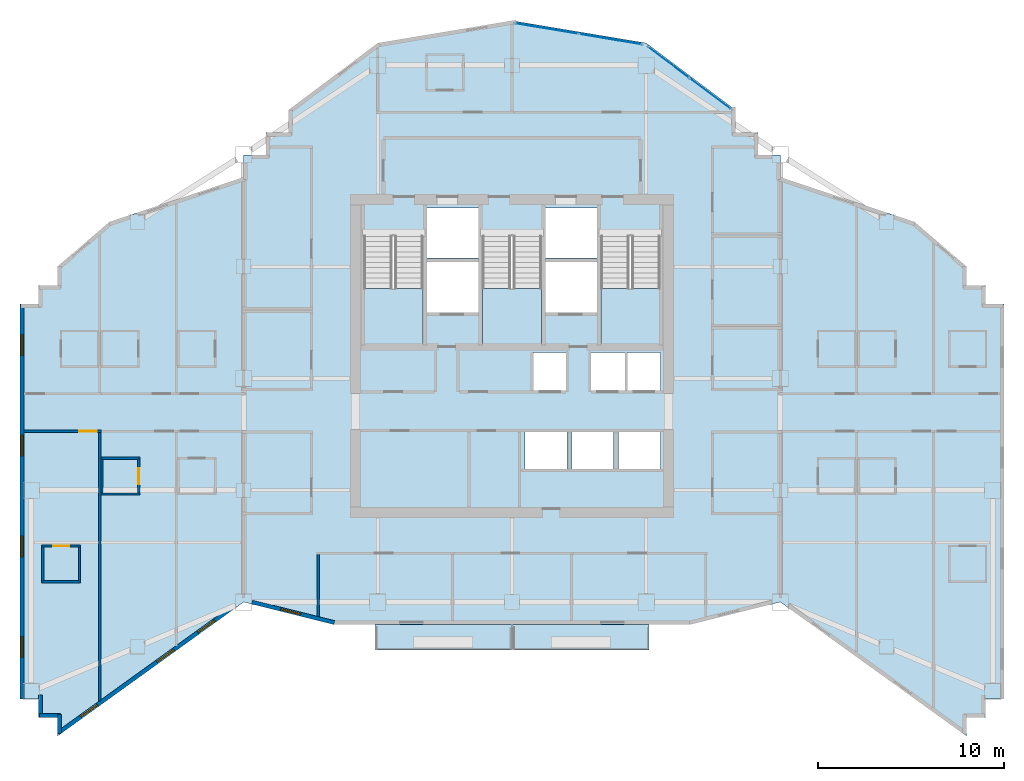
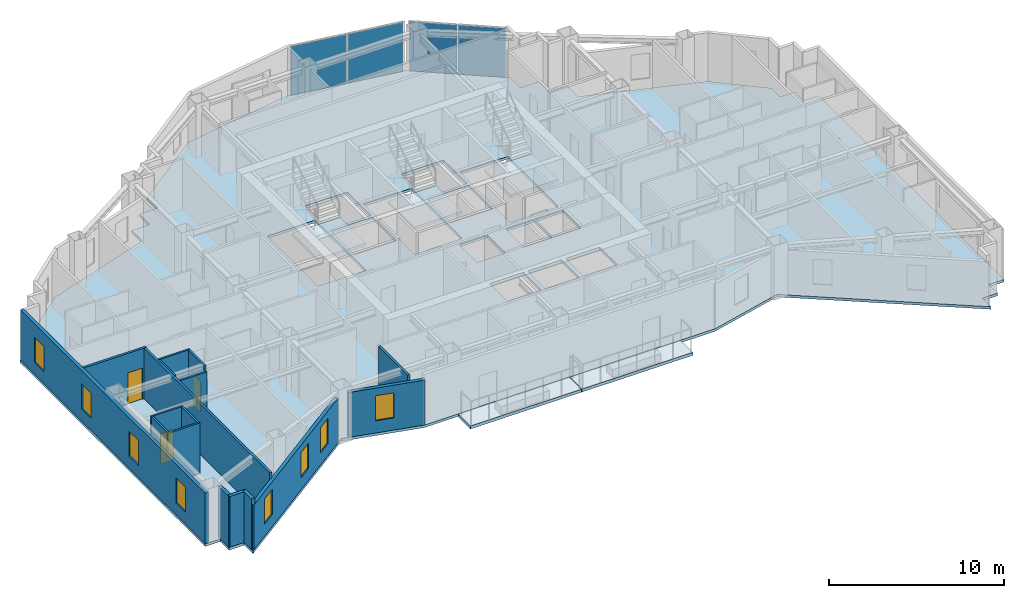
# One storey, part 4 of 11: 17 walls, 8 windows, 6 slabs, 4 plates, 3 doors, 11 openings, 5 elements without a shape of their own.
"""IFC4 building model written with IfcOpenShell, lengths in metres."""

from ifc_helpers import new_model, si_unit, direction, frame, frame_2d, origin, origin_2d, place, context, subcontext, project, spatial, polyline, rectangle, outline, extrude, material, layer, layer_set, type_object, element, fill, aggregate, save


model = new_model("IFC4")

# Units and contexts
model_context = context("Model", 3, precision=1e-05, world=origin(), true_north=direction((0.0, 1.0)))
body_context = subcontext(model_context, "Body", "Model", "MODEL_VIEW")
ifc_project = project(units=[si_unit("LENGTHUNIT", "METRE"), si_unit("AREAUNIT", "SQUARE_METRE"), si_unit("VOLUMEUNIT", "CUBIC_METRE"), si_unit("PLANEANGLEUNIT", "RADIAN"), si_unit("MASSUNIT", "GRAM", prefix="KILO")], contexts=[model_context])

# Site, building, storey
site_placement = place(None, origin())
site = spatial("IfcSite", under=ifc_project, at=site_placement, CompositionType="ELEMENT")
building_placement = place(site_placement, origin())
building = spatial("IfcBuilding", under=site, at=building_placement, Name="Haolan Belvedere Tower", CompositionType="ELEMENT")
storey_placement = place(building_placement, frame((0.0, 0.0, 226.800048828125)))
storey = spatial("IfcBuildingStorey", under=building, at=storey_placement, Name="L57", CompositionType="ELEMENT", Elevation=226.800048828125)

# Curtain wall, plates
ifc_material_1 = material(Name="Anodised champagne-silver aluminium 6063-T6 and Low-E glass", Category="aluminium")
ifc_layer_1 = layer(ifc_material_1, 0.14990234375, Name="Anodised champagne-silver aluminium 6063-T6 and Low-E glass")
ifc_layer_set_1 = layer_set([ifc_layer_1], Name="Anodised champagne-silver aluminium 6063-T6 and Low-E glass")
curtain_wall_type = type_object("IfcCurtainWallType", Name="CW-SYS-04", PredefinedType="NOTDEFINED", material=ifc_layer_set_1)
curtain_wall_1_placement = place(storey_placement, origin())
curtain_wall_1 = element("IfcCurtainWall", 1, at=curtain_wall_1_placement, inside=storey, type_object=curtain_wall_type, Name="L57 CW-SYS-04 ribbon curtain wall 20.1", PredefinedType="NOTDEFINED")
ifc_material_2 = material(Name="Double silver Low-E laminated insulating glass", Category="glass")
ifc_layer_2 = layer(ifc_material_2, 0.02392578125, Name="Double silver Low-E laminated insulating glass")
ifc_layer_set_2 = layer_set([ifc_layer_2], Name="Double silver Low-E laminated insulating glass")
plate_type = type_object("IfcPlateType", Name="CW-SYS-04-PNL", PredefinedType="CURTAIN_PANEL", material=ifc_layer_set_2)
plate_1_placement = place(storey_placement, frame((49.0390625, 48.883056640625, 0.052001953125), z_axis=(0.0, 0.0, 1.0), x_axis=(-0.799997871638, 0.600002837806, 0.0)))
plate_1 = element("IfcPlate", 2, at=plate_1_placement, type_object=plate_type, Name="CW-04 panel 1.1", PredefinedType="CURTAIN_PANEL", context=body_context, shape_type="SweptSolid", body=[
    extrude(rectangle(XDim=2.735107421875, YDim=0.02392578125, at=origin_2d()), origin(), (0.0, 0.0, 1.0), 3.43603515625),
])
plate_2_placement = place(storey_placement, frame((46.806396484375, 50.557861328125, 0.052001953125), z_axis=(0.0, 0.0, 1.0), x_axis=(-0.799997871638, 0.600002837806, 0.0)))
plate_2 = element("IfcPlate", 3, at=plate_2_placement, type_object=plate_type, Name="CW-04 panel 2.1", PredefinedType="CURTAIN_PANEL", context=body_context, shape_type="SweptSolid", body=[
    extrude(rectangle(XDim=2.735107421875, YDim=0.02392578125, at=origin_2d()), origin(), (0.0, 0.0, 1.0), 3.43603515625),
])
aggregate(curtain_wall_1, [plate_1, plate_2])

curtain_wall_2_placement = place(storey_placement, origin())
curtain_wall_2 = element("IfcCurtainWall", 4, at=curtain_wall_2_placement, inside=storey, type_object=curtain_wall_type, Name="L57 CW-SYS-04 ribbon curtain wall 21.1", PredefinedType="NOTDEFINED")
plate_3_placement = place(storey_placement, frame((43.683837890625, 51.807861328125, 0.052001953125), z_axis=(0.0, 0.0, 1.0), x_axis=(-0.98639276122, 0.164405962825, 0.0)))
plate_3 = element("IfcPlate", 5, at=plate_3_placement, type_object=plate_type, Name="CW-04 panel 1.1", PredefinedType="CURTAIN_PANEL", context=body_context, shape_type="SweptSolid", body=[
    extrude(rectangle(XDim=3.403076171875, YDim=0.02392578125, at=origin_2d()), origin(), (0.0, 0.0, 1.0), 3.43603515625),
])
plate_4_placement = place(storey_placement, frame((40.271728515625, 52.37646484375, 0.052001953125), z_axis=(0.0, 0.0, 1.0), x_axis=(-0.98639276122, 0.164405962825, 0.0)))
plate_4 = element("IfcPlate", 6, at=plate_4_placement, type_object=plate_type, Name="CW-04 panel 2.1", PredefinedType="CURTAIN_PANEL", context=body_context, shape_type="SweptSolid", body=[
    extrude(rectangle(XDim=3.403076171875, YDim=0.02392578125, at=origin_2d()), origin(), (0.0, 0.0, 1.0), 3.43603515625),
])
aggregate(curtain_wall_2, [plate_3, plate_4])

# Slabs
ifc_material_3 = material(Name="Concrete C40/50", Category="concrete")
ifc_layer_3 = layer(ifc_material_3, 0.2099609375, Name="Concrete C40/50")
ifc_layer_set_3 = layer_set([ifc_layer_3], Name="Concrete C40/50")
slab_type_1 = type_object("IfcSlabType", Name="SL-BAL-210", PredefinedType="FLOOR", material=ifc_layer_set_3)
slab_1_placement = place(storey_placement, frame((0.0, 0.0, -0.22998046875)))
element("IfcSlab", 7, at=slab_1_placement, inside=storey, type_object=slab_type_1, Name="L57 structural tree-planter balcony slab BAL-L57-S1", PredefinedType="FLOOR", context=body_context, shape_type="SweptSolid", body=[
    extrude(outline(polyline([(31.050048828125, 19.02001953125), (38.3798828125, 19.02001953125), (38.3798828125, 20.39990234375), (31.050048828125, 20.39990234375), (31.050048828125, 19.02001953125)])), origin(), (0.0, 0.0, 1.0), 0.2099609375),
])
slab_2_placement = place(storey_placement, frame((0.0, 0.0, -0.22998046875)))
element("IfcSlab", 8, at=slab_2_placement, inside=storey, type_object=slab_type_1, Name="L57 structural tree-planter balcony slab BAL-L57-S2", PredefinedType="FLOOR", context=body_context, shape_type="SweptSolid", body=[
    extrude(outline(polyline([(38.419921875, 19.02001953125), (45.75, 19.02001953125), (45.75, 20.39990234375), (38.419921875, 20.39990234375), (38.419921875, 19.02001953125)])), origin(), (0.0, 0.0, 1.0), 0.2099609375),
])
ifc_layer_4 = layer(ifc_material_3, 0.179931640625, Name="Concrete C40/50")
ifc_layer_set_4 = layer_set([ifc_layer_4], Name="Concrete C40/50")
slab_type_2 = type_object("IfcSlabType", Name="SL-FLR-180", PredefinedType="FLOOR", material=ifc_layer_set_4)
slab_3_placement = place(storey_placement, frame((0.0, 0.0, -0.179931640625)))
element("IfcSlab", 9, at=slab_3_placement, inside=storey, type_object=slab_type_2, Name="L57 structural floor slab", PredefinedType="FLOOR", context=body_context, shape_type="SweptSolid", body=[
    extrude(outline(polyline([(24.0, 21.60009765625), (28.800048828125, 20.39990234375), (48.0, 20.39990234375), (52.800048828125, 21.60009765625), (62.800048828125, 14.39990234375), (62.800048828125, 15.39990234375), (63.800048828125, 15.39990234375), (63.800048828125, 16.39990234375), (64.800048828125, 16.39990234375), (64.800048828125, 37.60009765625), (63.800048828125, 37.60009765625), (63.800048828125, 38.60009765625), (62.800048828125, 38.60009765625), (62.800048828125, 39.60009765625), (60.0, 42.0), (52.800048828125, 44.39990234375), (52.800048828125, 45.60009765625), (51.60009765625, 45.60009765625), (51.60009765625, 46.800048828125), (50.39990234375, 46.800048828125), (50.39990234375, 48.0), (45.60009765625, 51.60009765625), (38.39990234375, 52.800048828125), (31.199951171875, 51.60009765625), (26.39990234375, 48.0), (26.39990234375, 46.800048828125), (25.199951171875, 46.800048828125), (25.199951171875, 45.60009765625), (24.0, 45.60009765625), (24.0, 44.39990234375), (16.800048828125, 42.0), (14.0, 39.60009765625), (14.0, 38.60009765625), (13.0, 38.60009765625), (13.0, 37.60009765625), (12.0, 37.60009765625), (12.0, 16.800048828125), (12.0, 16.39990234375), (13.0, 16.39990234375), (13.0, 15.39990234375), (14.0, 15.39990234375), (14.0, 14.39990234375), (24.0, 21.60009765625)]), holes=[polyline([(30.449951171875, 41.22998046875), (30.449951171875, 35.449951171875), (33.6298828125, 35.449951171875), (33.6298828125, 41.22998046875), (30.449951171875, 41.22998046875)]), polyline([(36.81005859375, 41.22998046875), (36.81005859375, 35.449951171875), (39.989990234375, 35.449951171875), (39.989990234375, 41.22998046875), (36.81005859375, 41.22998046875)]), polyline([(43.169921875, 41.22998046875), (43.169921875, 35.449951171875), (46.35009765625, 35.449951171875), (46.35009765625, 41.22998046875), (43.169921875, 41.22998046875)]), polyline([(33.830078125, 40.050048828125), (36.610107421875, 40.050048828125), (36.610107421875, 42.75), (33.830078125, 42.75), (33.830078125, 40.050048828125)]), polyline([(33.830078125, 37.14990234375), (36.610107421875, 37.14990234375), (36.610107421875, 39.85009765625), (33.830078125, 39.85009765625), (33.830078125, 37.14990234375)]), polyline([(40.18994140625, 40.050048828125), (42.969970703125, 40.050048828125), (42.969970703125, 42.75), (40.18994140625, 42.75), (40.18994140625, 40.050048828125)]), polyline([(40.18994140625, 37.14990234375), (42.969970703125, 37.14990234375), (42.969970703125, 39.85009765625), (40.18994140625, 39.85009765625), (40.18994140625, 37.14990234375)]), polyline([(39.5400390625, 32.949951171875), (41.389892578125, 32.949951171875), (41.389892578125, 35.0), (39.5400390625, 35.0), (39.5400390625, 32.949951171875)]), polyline([(42.6201171875, 32.949951171875), (44.469970703125, 32.949951171875), (44.469970703125, 35.0), (42.6201171875, 35.0), (42.6201171875, 32.949951171875)]), polyline([(44.580078125, 32.949951171875), (46.3798828125, 32.949951171875), (46.3798828125, 35.0), (44.580078125, 35.0), (44.580078125, 32.949951171875)]), polyline([(39.10009765625, 28.75), (41.340087890625, 28.75), (41.340087890625, 30.75), (39.10009765625, 30.75), (39.10009765625, 28.75)]), polyline([(41.610107421875, 28.75), (43.85009765625, 28.75), (43.85009765625, 30.75), (41.610107421875, 30.75), (41.610107421875, 28.75)]), polyline([(44.1201171875, 28.75), (46.360107421875, 28.75), (46.360107421875, 30.75), (44.1201171875, 30.75), (44.1201171875, 28.75)])]), origin(), (0.0, 0.0, 1.0), 0.179931640625),
])

# Stair, slab
stair_type = type_object("IfcStairType", Name="STR-DL-22R-173", PredefinedType="HALF_TURN_STAIR", material=ifc_material_3)
stair_1_placement = place(storey_placement, origin())
stair_1 = element("IfcStair", 10, at=stair_1_placement, inside=storey, type_object=stair_type, Name="L57 Smokeproof Core Exit Stair ST1", PredefinedType="HALF_TURN_STAIR")
ifc_layer_5 = layer(ifc_material_3, 0.199951171875, Name="Concrete C40/50")
ifc_layer_set_5 = layer_set([ifc_layer_5], Name="Concrete C40/50")
slab_type_3 = type_object("IfcSlabType", Name="SL-LAND-200", PredefinedType="LANDING", material=ifc_layer_set_5)
slab_4_placement = place(storey_placement, frame((0.0, 0.0, 1.699951171875)))
slab_4 = element("IfcSlab", 11, at=slab_4_placement, type_object=slab_type_3, Name="ST1 landing 1", PredefinedType="LANDING", context=body_context, shape_type="SweptSolid", body=[
    extrude(outline(polyline([(30.449951171875, 38.429931640625), (30.449951171875, 35.449951171875), (33.6298828125, 35.449951171875), (33.6298828125, 38.429931640625), (30.449951171875, 38.429931640625)])), origin(), (0.0, 0.0, 1.0), 0.199951171875),
])
aggregate(stair_1, [slab_4])

stair_2_placement = place(storey_placement, origin())
stair_2 = element("IfcStair", 12, at=stair_2_placement, inside=storey, type_object=stair_type, Name="L57 Smokeproof Core Exit Stair ST3", PredefinedType="HALF_TURN_STAIR")
slab_5_placement = place(storey_placement, frame((0.0, 0.0, 1.699951171875)))
slab_5 = element("IfcSlab", 13, at=slab_5_placement, type_object=slab_type_3, Name="ST3 landing 1", PredefinedType="LANDING", context=body_context, shape_type="SweptSolid", body=[
    extrude(outline(polyline([(36.81005859375, 38.429931640625), (36.81005859375, 35.449951171875), (39.989990234375, 35.449951171875), (39.989990234375, 38.429931640625), (36.81005859375, 38.429931640625)])), origin(), (0.0, 0.0, 1.0), 0.199951171875),
])
aggregate(stair_2, [slab_5])

stair_3_placement = place(storey_placement, origin())
stair_3 = element("IfcStair", 14, at=stair_3_placement, inside=storey, type_object=stair_type, Name="L57 Smokeproof Core Exit Stair ST2", PredefinedType="HALF_TURN_STAIR")
slab_6_placement = place(storey_placement, frame((0.0, 0.0, 1.699951171875)))
slab_6 = element("IfcSlab", 15, at=slab_6_placement, type_object=slab_type_3, Name="ST2 landing 1", PredefinedType="LANDING", context=body_context, shape_type="SweptSolid", body=[
    extrude(outline(polyline([(43.169921875, 38.429931640625), (43.169921875, 35.449951171875), (46.35009765625, 35.449951171875), (46.35009765625, 38.429931640625), (43.169921875, 38.429931640625)])), origin(), (0.0, 0.0, 1.0), 0.199951171875),
])
aggregate(stair_3, [slab_6])

# Wall, openings, windows
ifc_material_4 = material(Name="Precast concrete C40/50", Category="concrete")
ifc_layer_6 = layer(ifc_material_4, 0.219970703125, Name="Precast concrete C40/50")
ifc_layer_set_6 = layer_set([ifc_layer_6], Name="Precast concrete C40/50")
wall_type_1 = type_object("IfcWallType", Name="WL-EXT-220", PredefinedType="SOLIDWALL", material=ifc_layer_set_6)
wall_1_placement = place(storey_placement, frame((12.110107421875, 37.544921875, 0.0), z_axis=(0.0, 0.0, 1.0), x_axis=(0.0, -1.0, 0.0)))
wall_1 = element("IfcWall", 16, at=wall_1_placement, inside=storey, type_object=wall_type_1, Name="L57 pale-metal exterior spandrel wall 35.1", PredefinedType="SOLIDWALL", context=body_context, shape_type="SweptSolid", body=[
    extrude(rectangle(XDim=21.14501953125, YDim=0.219970703125, at=frame_2d((10.572509765625, 0.0))), origin(), (0.0, 0.0, 1.0), 3.5400390625),
])
opening_1_placement = place(wall_1_placement, frame((1.60009765625, 0.0, 0.85009765625)))
opening_1 = element("IfcOpeningElement", 17, at=opening_1_placement, cuts=wall_1, Name="Opening W-03", PredefinedType="OPENING", context=body_context, shape_type="SweptSolid", body=[
    extrude(rectangle(XDim=1.10009765625, YDim=1.75, at=frame_2d((0.550048828125, 0.875))), frame((0.0, 0.119873046875, 0.0), z_axis=(0.0, -1.0, 0.0), x_axis=(1.0, 0.0, 0.0)), (0.0, 0.0, 1.0), 0.239990234375),
])
opening_2_placement = place(wall_1_placement, frame((7.0, 0.0, 0.85009765625)))
opening_2 = element("IfcOpeningElement", 18, at=opening_2_placement, cuts=wall_1, Name="Opening W-03", PredefinedType="OPENING", context=body_context, shape_type="SweptSolid", body=[
    extrude(rectangle(XDim=1.10009765625, YDim=1.75, at=frame_2d((0.550048828125, 0.875))), frame((0.0, 0.119873046875, 0.0), z_axis=(0.0, -1.0, 0.0), x_axis=(1.0, 0.0, 0.0)), (0.0, 0.0, 1.0), 0.239990234375),
])
opening_3_placement = place(wall_1_placement, frame((12.39990234375, 0.0, 0.85009765625)))
opening_3 = element("IfcOpeningElement", 19, at=opening_3_placement, cuts=wall_1, Name="Opening W-03", PredefinedType="OPENING", context=body_context, shape_type="SweptSolid", body=[
    extrude(rectangle(XDim=1.10009765625, YDim=1.75, at=frame_2d((0.550048828125, 0.875))), frame((0.0, 0.119873046875, 0.0), z_axis=(0.0, -1.0, 0.0), x_axis=(1.0, 0.0, 0.0)), (0.0, 0.0, 1.0), 0.239990234375),
])
opening_4_placement = place(wall_1_placement, frame((17.800048828125, 0.0, 0.85009765625)))
opening_4 = element("IfcOpeningElement", 20, at=opening_4_placement, cuts=wall_1, Name="Opening W-03", PredefinedType="OPENING", context=body_context, shape_type="SweptSolid", body=[
    extrude(rectangle(XDim=1.10009765625, YDim=1.75, at=frame_2d((0.550048828125, 0.875))), frame((0.0, 0.119873046875, 0.0), z_axis=(0.0, -1.0, 0.0), x_axis=(1.0, 0.0, 0.0)), (0.0, 0.0, 1.0), 0.239990234375),
])
ifc_material_5 = material(Name="Anodised aluminium 6063-T6 and Low-E glass", Category="aluminium")
window_type = type_object("IfcWindowType", Name="WN-DECO-Z3", PartitioningType="SINGLE_PANEL", PredefinedType="WINDOW", material=ifc_material_5)
window_1_placement = place(opening_1_placement, origin())
window_1 = element("IfcWindow", 21, at=window_1_placement, inside=storey, type_object=window_type, Name="L57 Art Deco chevron window 1", OverallHeight=1.75, OverallWidth=1.10009765625, PartitioningType="SINGLE_PANEL", PredefinedType="WINDOW", context=body_context, shape_type="SweptSolid", body=[
    extrude(rectangle(XDim=1.10009765625, YDim=1.75, at=frame_2d((0.550048828125, 0.875))), frame((0.0, 0.030029296875, 0.0), z_axis=(0.0, -1.0, 0.0), x_axis=(1.0, 0.0, 0.0)), (0.0, 0.0, 1.0), 0.06005859375),
])
fill(opening_1, window_1)
window_2_placement = place(opening_2_placement, origin())
window_2 = element("IfcWindow", 22, at=window_2_placement, inside=storey, type_object=window_type, Name="L57 Art Deco chevron window 2", OverallHeight=1.75, OverallWidth=1.10009765625, PartitioningType="SINGLE_PANEL", PredefinedType="WINDOW", context=body_context, shape_type="SweptSolid", body=[
    extrude(rectangle(XDim=1.10009765625, YDim=1.75, at=frame_2d((0.550048828125, 0.875))), frame((0.0, 0.030029296875, 0.0), z_axis=(0.0, -1.0, 0.0), x_axis=(1.0, 0.0, 0.0)), (0.0, 0.0, 1.0), 0.06005859375),
])
fill(opening_2, window_2)
window_3_placement = place(opening_3_placement, origin())
window_3 = element("IfcWindow", 23, at=window_3_placement, inside=storey, type_object=window_type, Name="L57 Art Deco chevron window 3", OverallHeight=1.75, OverallWidth=1.10009765625, PartitioningType="SINGLE_PANEL", PredefinedType="WINDOW", context=body_context, shape_type="SweptSolid", body=[
    extrude(rectangle(XDim=1.10009765625, YDim=1.75, at=frame_2d((0.550048828125, 0.875))), frame((0.0, 0.030029296875, 0.0), z_axis=(0.0, -1.0, 0.0), x_axis=(1.0, 0.0, 0.0)), (0.0, 0.0, 1.0), 0.06005859375),
])
fill(opening_3, window_3)
window_4_placement = place(opening_4_placement, origin())
window_4 = element("IfcWindow", 24, at=window_4_placement, inside=storey, type_object=window_type, Name="L57 Art Deco chevron window 4", OverallHeight=1.75, OverallWidth=1.10009765625, PartitioningType="SINGLE_PANEL", PredefinedType="WINDOW", context=body_context, shape_type="SweptSolid", body=[
    extrude(rectangle(XDim=1.10009765625, YDim=1.75, at=frame_2d((0.550048828125, 0.875))), frame((0.0, 0.030029296875, 0.0), z_axis=(0.0, -1.0, 0.0), x_axis=(1.0, 0.0, 0.0)), (0.0, 0.0, 1.0), 0.06005859375),
])
fill(opening_4, window_4)

# Walls
wall_2_placement = place(storey_placement, frame((13.110107421875, 16.6201171875, 0.0), z_axis=(0.0, 0.0, 1.0), x_axis=(0.0, -1.0, 0.0)))
element("IfcWall", 25, at=wall_2_placement, inside=storey, type_object=wall_type_1, Name="L57 pale-metal exterior spandrel wall 37.1", PredefinedType="SOLIDWALL", context=body_context, shape_type="SweptSolid", body=[
    extrude(rectangle(XDim=1.1650390625, YDim=0.219970703125, at=frame_2d((0.58251953125, 0.0))), origin(), (0.0, 0.0, 1.0), 3.5400390625),
])
wall_3_placement = place(storey_placement, frame((13.054931640625, 15.510009765625, 0.0), z_axis=(0.0, 0.0, 1.0), x_axis=(1.0, 0.0, 0.0)))
element("IfcWall", 26, at=wall_3_placement, inside=storey, type_object=wall_type_1, Name="L57 pale-metal exterior spandrel wall 38.1", PredefinedType="SOLIDWALL", context=body_context, shape_type="SweptSolid", body=[
    extrude(rectangle(XDim=1.110107421875, YDim=0.219970703125, at=frame_2d((0.55517578125, 0.0))), origin(), (0.0, 0.0, 1.0), 3.5400390625),
])
wall_4_placement = place(storey_placement, frame((14.110107421875, 15.56494140625, 0.0), z_axis=(0.0, 0.0, 1.0), x_axis=(0.0, -1.0, 0.0)))
element("IfcWall", 27, at=wall_4_placement, inside=storey, type_object=wall_type_1, Name="L57 pale-metal exterior spandrel wall 39.1", PredefinedType="SOLIDWALL", context=body_context, shape_type="SweptSolid", body=[
    extrude(rectangle(XDim=1.005126953125, YDim=0.219970703125, at=frame_2d((0.50244140625, 0.0))), origin(), (0.0, 0.0, 1.0), 3.5400390625),
])

# Wall, openings, windows
wall_5_placement = place(storey_placement, frame((14.0654296875, 14.58251953125, 0.0), z_axis=(0.0, 0.0, 1.0), x_axis=(0.811534737332, 0.58430417601, 0.0)))
wall_5 = element("IfcWall", 28, at=wall_5_placement, inside=storey, type_object=wall_type_1, Name="L57 pale-metal exterior spandrel wall 40.1", PredefinedType="SOLIDWALL", context=body_context, shape_type="SweptSolid", body=[
    extrude(rectangle(XDim=11.697265625, YDim=0.219970703125, at=frame_2d((5.8486328125, 0.0))), origin(), (0.0, 0.0, 1.0), 3.135009765625),
])
opening_5_placement = place(wall_5_placement, frame((1.46728515625, 0.0, 0.85009765625)))
opening_5 = element("IfcOpeningElement", 29, at=opening_5_placement, cuts=wall_5, Name="Opening W-03", PredefinedType="OPENING", context=body_context, shape_type="SweptSolid", body=[
    extrude(rectangle(XDim=1.10009765625, YDim=1.75, at=frame_2d((0.550048828125, 0.875))), frame((0.0, 0.119873046875, 0.0), z_axis=(0.0, -1.0, 0.0), x_axis=(1.0, 0.0, 0.0)), (0.0, 0.0, 1.0), 0.239990234375),
])
opening_6_placement = place(wall_5_placement, frame((6.51953125, 0.0, 0.85009765625)))
opening_6 = element("IfcOpeningElement", 30, at=opening_6_placement, cuts=wall_5, Name="Opening W-03", PredefinedType="OPENING", context=body_context, shape_type="SweptSolid", body=[
    extrude(rectangle(XDim=1.10009765625, YDim=1.75, at=frame_2d((0.550048828125, 0.875))), frame((0.0, 0.119873046875, 0.0), z_axis=(0.0, -1.0, 0.0), x_axis=(1.0, 0.0, 0.0)), (0.0, 0.0, 1.0), 0.239990234375),
])
opening_7_placement = place(wall_5_placement, frame((9.232666015625, 0.0, 0.85009765625)))
opening_7 = element("IfcOpeningElement", 31, at=opening_7_placement, cuts=wall_5, Name="Opening W-03", PredefinedType="OPENING", context=body_context, shape_type="SweptSolid", body=[
    extrude(rectangle(XDim=1.10009765625, YDim=1.75, at=frame_2d((0.550048828125, 0.875))), frame((0.0, 0.119873046875, 0.0), z_axis=(0.0, -1.0, 0.0), x_axis=(1.0, 0.0, 0.0)), (0.0, 0.0, 1.0), 0.239990234375),
])
window_5_placement = place(opening_5_placement, origin())
window_5 = element("IfcWindow", 32, at=window_5_placement, inside=storey, type_object=window_type, Name="L57 Art Deco chevron window 1", OverallHeight=1.75, OverallWidth=1.10009765625, PartitioningType="SINGLE_PANEL", PredefinedType="WINDOW", context=body_context, shape_type="SweptSolid", body=[
    extrude(rectangle(XDim=1.10009765625, YDim=1.75, at=frame_2d((0.550048828125, 0.875))), frame((0.0, 0.030029296875, 0.0), z_axis=(0.0, -1.0, 0.0), x_axis=(1.0, 0.0, 0.0)), (0.0, 0.0, 1.0), 0.06005859375),
])
fill(opening_5, window_5)
window_6_placement = place(opening_6_placement, origin())
window_6 = element("IfcWindow", 33, at=window_6_placement, inside=storey, type_object=window_type, Name="L57 Art Deco chevron window 2", OverallHeight=1.75, OverallWidth=1.10009765625, PartitioningType="SINGLE_PANEL", PredefinedType="WINDOW", context=body_context, shape_type="SweptSolid", body=[
    extrude(rectangle(XDim=1.10009765625, YDim=1.75, at=frame_2d((0.550048828125, 0.875))), frame((0.0, 0.030029296875, 0.0), z_axis=(0.0, -1.0, 0.0), x_axis=(1.0, 0.0, 0.0)), (0.0, 0.0, 1.0), 0.06005859375),
])
fill(opening_6, window_6)
window_7_placement = place(opening_7_placement, origin())
window_7 = element("IfcWindow", 34, at=window_7_placement, inside=storey, type_object=window_type, Name="L57 Art Deco guestroom window 2", OverallHeight=1.75, OverallWidth=1.10009765625, PartitioningType="SINGLE_PANEL", PredefinedType="WINDOW", context=body_context, shape_type="SweptSolid", body=[
    extrude(rectangle(XDim=1.10009765625, YDim=1.75, at=frame_2d((0.550048828125, 0.875))), frame((0.0, 0.030029296875, 0.0), z_axis=(0.0, -1.0, 0.0), x_axis=(1.0, 0.0, 0.0)), (0.0, 0.0, 1.0), 0.06005859375),
])
fill(opening_7, window_7)

# Wall, opening, window
wall_6_placement = place(storey_placement, frame((24.44189453125, 21.602783203125, 0.0), z_axis=(0.0, 0.0, 1.0), x_axis=(0.970145648609, -0.242523030833, 0.0)))
wall_6 = element("IfcWall", 35, at=wall_6_placement, inside=storey, type_object=wall_type_1, Name="L57 pale-metal exterior spandrel wall 41.1", PredefinedType="SOLIDWALL", context=body_context, shape_type="SweptSolid", body=[
    extrude(rectangle(XDim=4.561279296875, YDim=0.219970703125, at=frame_2d((2.28076171875, 0.0))), origin(), (0.0, 0.0, 1.0), 3.135009765625),
])
opening_8_placement = place(wall_6_placement, frame((1.60009765625, 0.0, 0.85009765625)))
opening_8 = element("IfcOpeningElement", 36, at=opening_8_placement, cuts=wall_6, Name="Opening W-03", PredefinedType="OPENING", context=body_context, shape_type="SweptSolid", body=[
    extrude(rectangle(XDim=1.10009765625, YDim=1.75, at=frame_2d((0.550048828125, 0.875))), frame((0.0, 0.119873046875, 0.0), z_axis=(0.0, -1.0, 0.0), x_axis=(1.0, 0.0, 0.0)), (0.0, 0.0, 1.0), 0.239990234375),
])
window_8_placement = place(opening_8_placement, origin())
window_8 = element("IfcWindow", 37, at=window_8_placement, inside=storey, type_object=window_type, Name="L57 Art Deco chevron window 1", OverallHeight=1.75, OverallWidth=1.10009765625, PartitioningType="SINGLE_PANEL", PredefinedType="WINDOW", context=body_context, shape_type="SweptSolid", body=[
    extrude(rectangle(XDim=1.10009765625, YDim=1.75, at=frame_2d((0.550048828125, 0.875))), frame((0.0, 0.030029296875, 0.0), z_axis=(0.0, -1.0, 0.0), x_axis=(1.0, 0.0, 0.0)), (0.0, 0.0, 1.0), 0.06005859375),
])
fill(opening_8, window_8)

# Wall
ifc_material_6 = material(Name="Double gypsum acoustic stud partition", Category="masonry")
ifc_layer_7 = layer(ifc_material_6, 0.14990234375, Name="Double gypsum acoustic stud partition")
ifc_layer_set_7 = layer_set([ifc_layer_7], Name="Double gypsum acoustic stud partition")
wall_type_2 = type_object("IfcWallType", Name="WL-PART-150", PredefinedType="PARTITIONING", material=ifc_layer_set_7)
wall_7_placement = place(storey_placement, frame((28.0, 20.818603515625, 0.0), z_axis=(0.0, 0.0, 1.0), x_axis=(0.0, 1.0, 0.0)))
element("IfcWall", 38, at=wall_7_placement, inside=storey, type_object=wall_type_2, Name="L57 interior partition IW-L57-KS2-W", PredefinedType="PARTITIONING", context=body_context, shape_type="SweptSolid", body=[
    extrude(rectangle(XDim=3.34130859375, YDim=0.14990234375, at=frame_2d((1.670654296875, 0.0))), origin(), (0.0, 0.0, 1.0), 3.5400390625),
])

# Wall, opening, door
wall_8_placement = place(storey_placement, frame((12.2119140625, 30.77001953125, 0.0), z_axis=(0.0, 0.0, 1.0), x_axis=(1.0, 0.0, 0.0)))
wall_8 = element("IfcWall", 39, at=wall_8_placement, inside=storey, type_object=wall_type_2, Name="L57 interior partition IW-L57-T2S1-N", PredefinedType="PARTITIONING", context=body_context, shape_type="SweptSolid", body=[
    extrude(rectangle(XDim=4.16796875, YDim=0.14990234375, at=frame_2d((2.083984375, 0.0))), origin(), (0.0, 0.0, 1.0), 3.5400390625),
])
opening_9_placement = place(wall_8_placement, frame((3.904541015625, 0.0, 0.0), z_axis=(0.0, 0.0, 1.0), x_axis=(-1.0, 0.0, 0.0)))
opening_9 = element("IfcOpeningElement", 40, at=opening_9_placement, cuts=wall_8, Name="Opening ID-01", PredefinedType="OPENING", context=body_context, shape_type="SweptSolid", body=[
    extrude(rectangle(XDim=0.949951171875, YDim=2.179931640625, at=frame_2d((0.47509765625, 1.08984375))), frame((0.0, 0.0849609375, 0.0), z_axis=(0.0, -1.0, 0.0), x_axis=(1.0, 0.0, 0.0)), (0.0, 0.0, 1.0), 0.169921875),
])
ifc_material_7 = material(Name="Acoustic walnut veneer fire-rated timber", Category="wood")
door_type_1 = type_object("IfcDoorType", Name="DR-SUITE-950", OperationType="NOTDEFINED", PredefinedType="DOOR", material=ifc_material_7)
door_1_placement = place(opening_9_placement, origin())
door_1 = element("IfcDoor", 41, at=door_1_placement, inside=storey, type_object=door_type_1, Name="L57 door ID-L57-T2S1-ENT", OperationType="SINGLE_SWING_RIGHT", OverallHeight=2.179931640625, OverallWidth=0.949951171875, PredefinedType="DOOR", context=body_context, shape_type="SweptSolid", body=[
    extrude(rectangle(XDim=0.949951171875, YDim=2.179931640625, at=frame_2d((0.47509765625, 1.08984375))), frame((0.0, 0.02490234375, 0.0), z_axis=(0.0, -1.0, 0.0), x_axis=(1.0, 0.0, 0.0)), (0.0, 0.0, 1.0), 0.050048828125),
])
fill(opening_9, door_1)

# Wall
wall_9_placement = place(storey_placement, frame((16.280029296875, 16.302734375, 0.0), z_axis=(0.0, 0.0, 1.0), x_axis=(0.0, 1.0, 0.0)))
element("IfcWall", 42, at=wall_9_placement, inside=storey, type_object=wall_type_2, Name="L57 interior partition IW-L57-T2S1-E", PredefinedType="PARTITIONING", context=body_context, shape_type="SweptSolid", body=[
    extrude(rectangle(XDim=14.4072265625, YDim=0.14990234375, at=frame_2d((7.20361328125, 0.0))), origin(), (0.0, 0.0, 1.0), 3.5400390625),
])

# Wall, opening, door
ifc_material_8 = material(Name="Moisture-resistant gypsum tile partition", Category="masonry")
ifc_layer_8 = layer(ifc_material_8, 0.1201171875, Name="Moisture-resistant gypsum tile partition")
ifc_layer_set_8 = layer_set([ifc_layer_8], Name="Moisture-resistant gypsum tile partition")
wall_type_3 = type_object("IfcWallType", Name="WL-WET-120", PredefinedType="PARTITIONING", material=ifc_layer_set_8)
wall_10_placement = place(storey_placement, frame((13.155029296875, 24.610107421875, 0.0), z_axis=(0.0, 0.0, 1.0), x_axis=(1.0, 0.0, 0.0)))
wall_10 = element("IfcWall", 43, at=wall_10_placement, inside=storey, type_object=wall_type_3, Name="L57 interior partition IW-L57-T2S1-BN", PredefinedType="PARTITIONING", context=body_context, shape_type="SweptSolid", body=[
    extrude(rectangle(XDim=2.099853515625, YDim=0.1201171875, at=frame_2d((1.0498046875, 0.0))), origin(), (0.0, 0.0, 1.0), 3.5400390625),
])
opening_10_placement = place(wall_10_placement, frame((1.47509765625, 0.0, 0.0), z_axis=(0.0, 0.0, 1.0), x_axis=(-1.0, 0.0, 0.0)))
opening_10 = element("IfcOpeningElement", 44, at=opening_10_placement, cuts=wall_10, Name="Opening ID-05", PredefinedType="OPENING", context=body_context, shape_type="SweptSolid", body=[
    extrude(rectangle(XDim=0.85009765625, YDim=2.10009765625, at=frame_2d((0.425048828125, 1.050048828125))), frame((0.0, 0.070068359375, 0.0), z_axis=(0.0, -1.0, 0.0), x_axis=(1.0, 0.0, 0.0)), (0.0, 0.0, 1.0), 0.14013671875),
])
ifc_material_9 = material(Name="Moisture-resistant lacquered timber", Category="wood")
door_type_2 = type_object("IfcDoorType", Name="DR-BATH-850", OperationType="NOTDEFINED", PredefinedType="DOOR", material=ifc_material_9)
door_2_placement = place(opening_10_placement, origin())
door_2 = element("IfcDoor", 45, at=door_2_placement, inside=storey, type_object=door_type_2, Name="L57 door ID-L57-T2S1-BATH", OperationType="SINGLE_SWING_LEFT", OverallHeight=2.10009765625, OverallWidth=0.85009765625, PredefinedType="DOOR", context=body_context, shape_type="SweptSolid", body=[
    extrude(rectangle(XDim=0.85009765625, YDim=2.10009765625, at=frame_2d((0.425048828125, 1.050048828125))), frame((0.0, 0.02490234375, 0.0), z_axis=(0.0, -1.0, 0.0), x_axis=(1.0, 0.0, 0.0)), (0.0, 0.0, 1.0), 0.050048828125),
])
fill(opening_10, door_2)

# Walls
wall_11_placement = place(storey_placement, frame((13.155029296875, 22.68994140625, 0.0), z_axis=(0.0, 0.0, 1.0), x_axis=(1.0, 0.0, 0.0)))
element("IfcWall", 46, at=wall_11_placement, inside=storey, type_object=wall_type_3, Name="L57 interior partition IW-L57-T2S1-BS", PredefinedType="PARTITIONING", context=body_context, shape_type="SweptSolid", body=[
    extrude(rectangle(XDim=2.099853515625, YDim=0.1201171875, at=frame_2d((1.0498046875, 0.0))), origin(), (0.0, 0.0, 1.0), 3.5400390625),
])
for number, where, z_axis, x_axis, name in (
    (47, (13.215087890625, 22.735107421875, 0.0), (0.0, 0.0, 1.0), (0.0, 1.0, 0.0), "L57 interior partition IW-L57-T2S1-BW"),
    (48, (15.195068359375, 22.735107421875, 0.0), (0.0, 0.0, 1.0), (0.0, 1.0, 0.0), "L57 interior partition IW-L57-T2S1-BE"),
):
    element("IfcWall", number, at=place(storey_placement, frame(where, z_axis=z_axis, x_axis=x_axis)), inside=storey, type_object=wall_type_3, Name=name, PredefinedType="PARTITIONING", context=body_context, shape_type="SweptSolid", body=[
        extrude(rectangle(XDim=1.829833984375, YDim=0.1201171875, at=frame_2d((0.9150390625, 0.0))), origin(), (0.0, 0.0, 1.0), 3.5400390625),
    ])
wall_12_placement = place(storey_placement, frame((16.340087890625, 29.320068359375, 0.0), z_axis=(0.0, 0.0, 1.0), x_axis=(1.0, 0.0, 0.0)))
element("IfcWall", 49, at=wall_12_placement, inside=storey, type_object=wall_type_3, Name="L57 interior partition IW-L57-T2S2-BN", PredefinedType="PARTITIONING", context=body_context, shape_type="SweptSolid", body=[
    extrude(rectangle(XDim=2.094970703125, YDim=0.1201171875, at=frame_2d((1.04736328125, 0.0))), origin(), (0.0, 0.0, 1.0), 3.5400390625),
])
wall_13_placement = place(storey_placement, frame((16.340087890625, 27.39990234375, 0.0), z_axis=(0.0, 0.0, 1.0), x_axis=(1.0, 0.0, 0.0)))
element("IfcWall", 50, at=wall_13_placement, inside=storey, type_object=wall_type_3, Name="L57 interior partition IW-L57-T2S2-BS", PredefinedType="PARTITIONING", context=body_context, shape_type="SweptSolid", body=[
    extrude(rectangle(XDim=2.094970703125, YDim=0.1201171875, at=frame_2d((1.04736328125, 0.0))), origin(), (0.0, 0.0, 1.0), 3.135009765625),
])
wall_14_placement = place(storey_placement, frame((16.39501953125, 27.445068359375, 0.0), z_axis=(0.0, 0.0, 1.0), x_axis=(0.0, 1.0, 0.0)))
element("IfcWall", 51, at=wall_14_placement, inside=storey, type_object=wall_type_3, Name="L57 interior partition IW-L57-T2S2-BW", PredefinedType="PARTITIONING", context=body_context, shape_type="SweptSolid", body=[
    extrude(rectangle(XDim=1.829833984375, YDim=0.1201171875, at=frame_2d((0.9150390625, 0.0))), origin(), (0.0, 0.0, 1.0), 3.5400390625),
])

# Wall, opening, door
wall_15_placement = place(storey_placement, frame((18.375, 27.445068359375, 0.0), z_axis=(0.0, 0.0, 1.0), x_axis=(0.0, 1.0, 0.0)))
wall_15 = element("IfcWall", 52, at=wall_15_placement, inside=storey, type_object=wall_type_3, Name="L57 interior partition IW-L57-T2S2-BE", PredefinedType="PARTITIONING", context=body_context, shape_type="SweptSolid", body=[
    extrude(rectangle(XDim=1.829833984375, YDim=0.1201171875, at=frame_2d((0.9150390625, 0.0))), origin(), (0.0, 0.0, 1.0), 3.5400390625),
])
opening_11_placement = place(wall_15_placement, frame((0.489990234375, 0.0, 0.0)))
opening_11 = element("IfcOpeningElement", 53, at=opening_11_placement, cuts=wall_15, Name="Opening ID-05", PredefinedType="OPENING", context=body_context, shape_type="SweptSolid", body=[
    extrude(rectangle(XDim=0.85009765625, YDim=2.10009765625, at=frame_2d((0.425048828125, 1.050048828125))), frame((0.0, 0.070068359375, 0.0), z_axis=(0.0, -1.0, 0.0), x_axis=(1.0, 0.0, 0.0)), (0.0, 0.0, 1.0), 0.14013671875),
])
door_3_placement = place(opening_11_placement, origin())
door_3 = element("IfcDoor", 54, at=door_3_placement, inside=storey, type_object=door_type_2, Name="L57 door ID-L57-T2S2-BATH", OperationType="SINGLE_SWING_RIGHT", OverallHeight=2.10009765625, OverallWidth=0.85009765625, PredefinedType="DOOR", context=body_context, shape_type="SweptSolid", body=[
    extrude(rectangle(XDim=0.85009765625, YDim=2.10009765625, at=frame_2d((0.425048828125, 1.050048828125))), frame((0.0, 0.02490234375, 0.0), z_axis=(0.0, -1.0, 0.0), x_axis=(1.0, 0.0, 0.0)), (0.0, 0.0, 1.0), 0.050048828125),
])
fill(opening_11, door_3)

save(model, "model.ifc")
